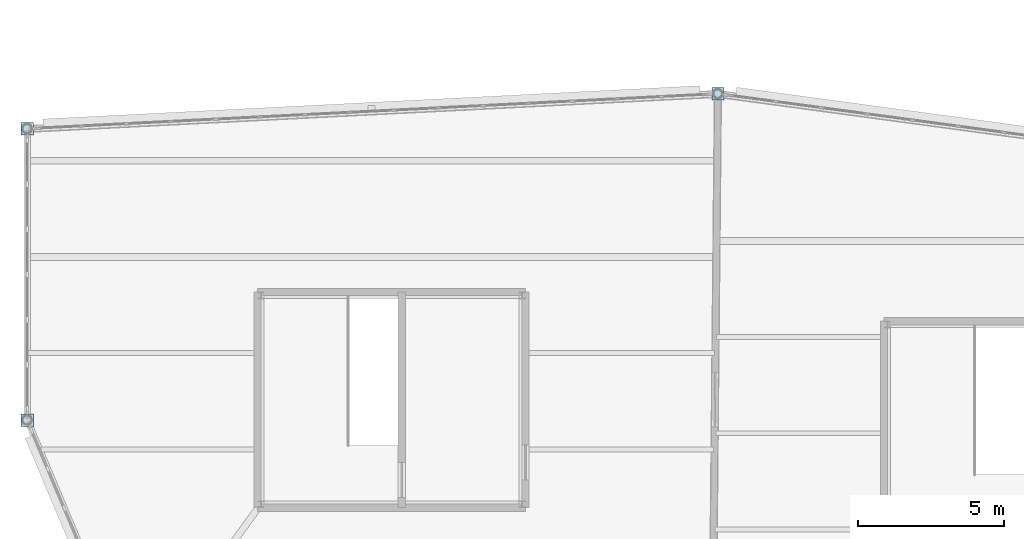
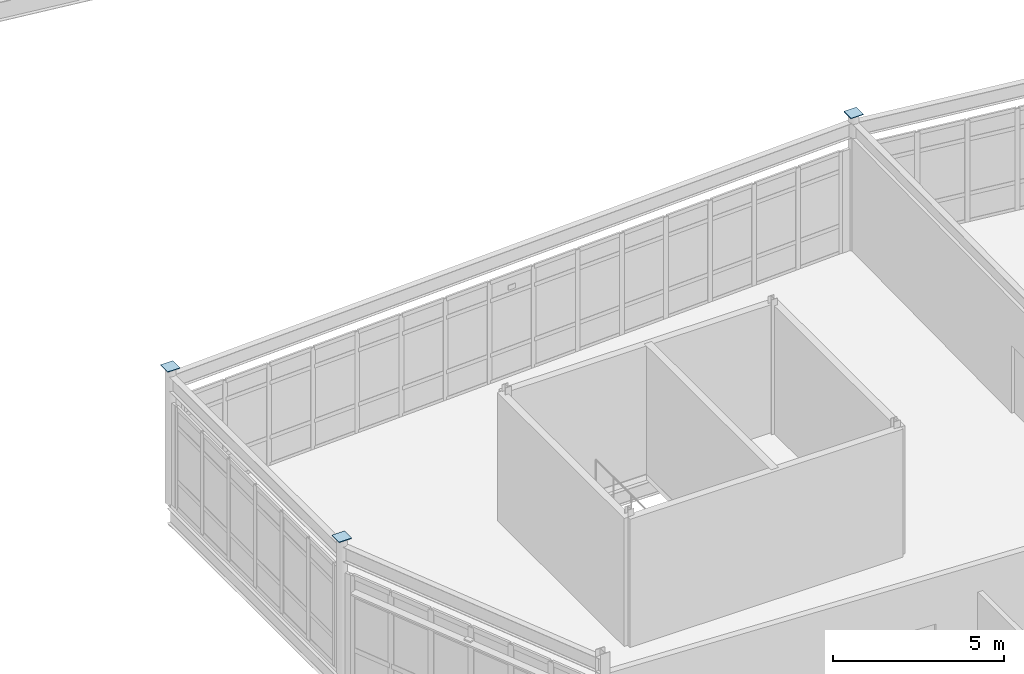
# One storey, part 103 of 134: 3 plates.
"""IFC4 building model written with IfcOpenShell, lengths in metres."""

from ifc_helpers import new_model, si_unit, direction, frame, origin, origin_2d, place, context, subcontext, project, spatial, rectangle, extrude, material, layer, layer_set, type_object, element, save


model = new_model("IFC4")

# Units and contexts
model_context = context("Model", 3, precision=1e-05, world=origin(), true_north=direction((0.0, 1.0)))
body_context = subcontext(model_context, "Body", "Model", "MODEL_VIEW")
ifc_project = project(units=[si_unit("LENGTHUNIT", "METRE"), si_unit("AREAUNIT", "SQUARE_METRE"), si_unit("VOLUMEUNIT", "CUBIC_METRE"), si_unit("PLANEANGLEUNIT", "RADIAN"), si_unit("MASSUNIT", "GRAM", prefix="KILO")], contexts=[model_context])

# Site, building, storey
site_placement = place(None, origin())
site = spatial("IfcSite", under=ifc_project, at=site_placement, CompositionType="ELEMENT")
building_placement = place(site_placement, origin())
building = spatial("IfcBuilding", under=site, at=building_placement, Name="Tameran Prism Museum", CompositionType="ELEMENT")
storey_placement = place(building_placement, frame((0.0, 0.0, 5.39990234375)))
storey = spatial("IfcBuildingStorey", under=building, at=storey_placement, Name="L01", CompositionType="ELEMENT", Elevation=5.39990234375)

# Plates
ifc_material = material(Name="Steel Grade 350 (350 MPa)", Category="steel")
ifc_layer = layer(ifc_material, 0.02001953125)
ifc_layer_set = layer_set([ifc_layer])
plate_type = type_object("IfcPlateType", Name="PL-GUS-20", PredefinedType="USERDEFINED", material=ifc_layer_set)
for number, where, z_axis, x_axis, name in (
    (1, (0.0, 31.800048828125, 4.800048828125), (0.0, 0.0, 1.0), (1.0, 0.0, 0.0), "Hollow Column End Cap Plate CC-CV-03"),
    (2, (0.0, 41.800048828125, 4.800048828125), (0.0, 0.0, 1.0), (1.0, 0.0, 0.0), "Hollow Column End Cap Plate CC-CV-04"),
    (3, (23.699951171875, 43.0, 4.800048828125), (0.0, 0.0, 1.0), (1.0, 0.0, 0.0), "Hollow Column End Cap Plate CC-CV-15"),
):
    element("IfcPlate", number, at=place(storey_placement, frame(where, z_axis=z_axis, x_axis=x_axis)), inside=storey, type_object=plate_type, Name=name, ObjectType="GUSSET PLATE", PredefinedType="USERDEFINED", context=body_context, shape_type="SweptSolid", body=[
        extrude(rectangle(XDim=0.419921875, YDim=0.419921875, at=origin_2d()), origin(), (0.0, 0.0, 1.0), 0.02001953125),
    ])

save(model, "model.ifc")
